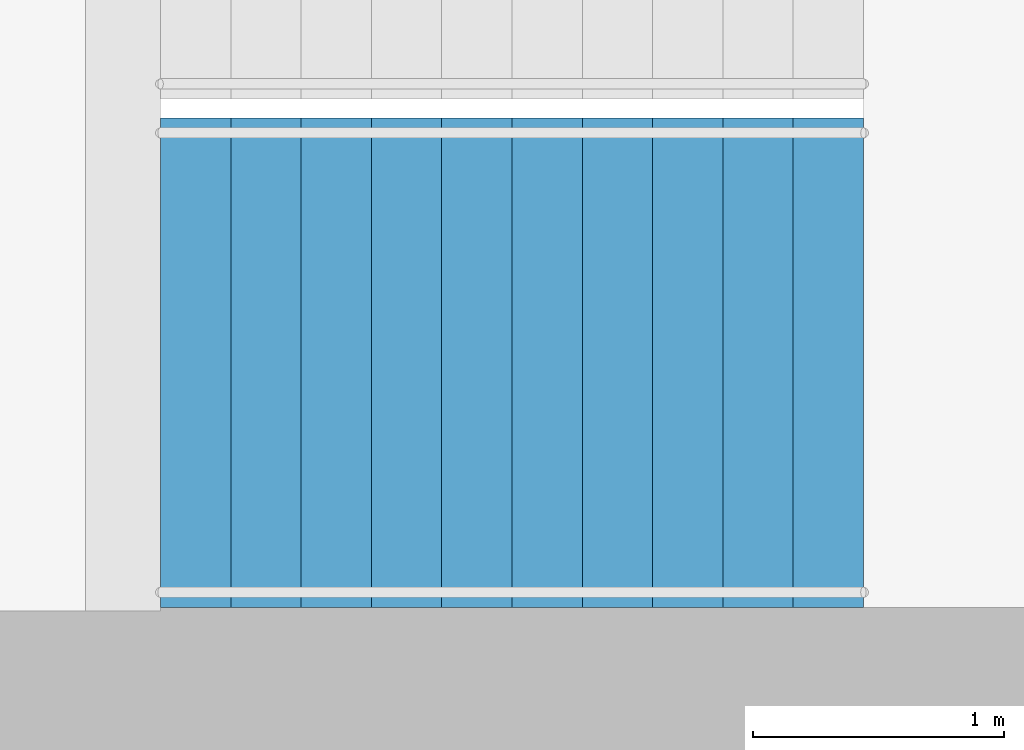
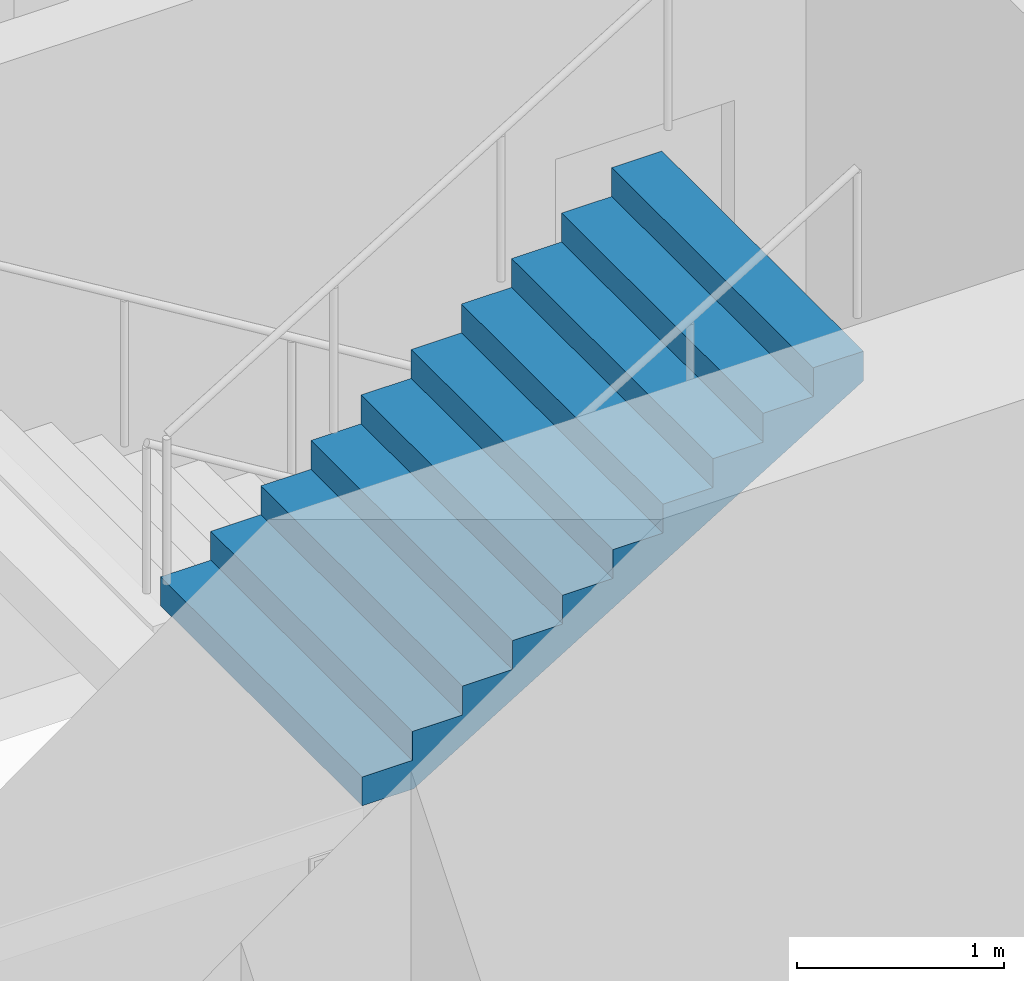
# One storey, part 19 of 21: 1 stair flight, 1 element without a shape of its own.
"""IFC4 building model written with IfcOpenShell, lengths in metres."""

from ifc_helpers import new_model, si_unit, direction, frame, origin, place, context, subcontext, project, spatial, triangles, material, type_object, element, aggregate, save


model = new_model("IFC4")

# Units and contexts
model_context = context("Model", 3, precision=1e-05, world=origin(), true_north=direction((0.0, 1.0)))
body_context = subcontext(model_context, "Body", "Model", "MODEL_VIEW")
ifc_project = project(units=[si_unit("LENGTHUNIT", "METRE"), si_unit("AREAUNIT", "SQUARE_METRE"), si_unit("VOLUMEUNIT", "CUBIC_METRE"), si_unit("PLANEANGLEUNIT", "RADIAN"), si_unit("MASSUNIT", "GRAM", prefix="KILO")], contexts=[model_context])

# Site, building, storey
site_placement = place(None, origin())
site = spatial("IfcSite", under=ifc_project, at=site_placement, CompositionType="ELEMENT")
building_placement = place(site_placement, origin())
building = spatial("IfcBuilding", under=site, at=building_placement, Name="Orbita Commons", CompositionType="ELEMENT")
storey_placement = place(building_placement, frame((0.0, 0.0, 106.89990234375)))
storey = spatial("IfcBuildingStorey", under=building, at=storey_placement, Name="L26", CompositionType="ELEMENT", Elevation=106.89990234375)

# Stair, stair flight
ifc_material_1 = material(Name="Precast concrete C40/50", Category="concrete")
stair_type = type_object("IfcStairType", Name="Exit stair S2 2 flights 11 risers 170", PredefinedType="HALF_TURN_STAIR", material=ifc_material_1)
stair_placement = place(storey_placement, origin())
stair = element("IfcStair", 1, at=stair_placement, inside=storey, type_object=stair_type, Name="Exit stair S2 L26", PredefinedType="HALF_TURN_STAIR")
ifc_material_2 = material(Name="Precast concrete C40/50", Category="concrete")
stair_flight_type = type_object("IfcStairFlightType", Name="Stair flight 11 risers 170 x 280", PredefinedType="STRAIGHT", material=ifc_material_2)
stair_flight_placement = place(storey_placement, frame((60.75, 27.25, 1.875), z_axis=(0.0, 0.0, 1.0), x_axis=(1.0, 0.0, 0.0)))
stair_flight = element("IfcStairFlight", 2, at=stair_flight_placement, type_object=stair_flight_type, Name="S2 flight 2", NumberOfRisers=11, NumberOfTreads=10, PredefinedType="STRAIGHT", RiserHeight=0.170454545, TreadLength=0.28, context=body_context, shape_type="Tessellation", body=[
    triangles([(0.0, 0.974976, 0.0), (0.0, 0.974976, 0.021307), (0.0, 0.81248, 0.021307), (0.0, 0.81248, 0.0), (0.0, 0.649984, 0.021307), (0.0, 0.649984, 0.0), (0.0, 0.487488, 0.021307), (0.0, 0.487488, 0.0), (0.0, 0.324992, 0.021307), (0.0, 0.324992, 0.0), (0.0, 0.162496, 0.021307), (0.0, 0.162496, 0.0), (0.0, 0.0, 0.021307), (0.0, 0.0, 0.0), (0.0, -0.162496, 0.021307), (0.0, -0.162496, 0.0), (0.0, -0.324992, 0.021307), (0.0, -0.324992, 0.0), (0.0, -0.487488, 0.021307), (0.0, -0.487488, 0.0), (0.0, -0.649984, 0.021307), (0.0, -0.649984, 0.0), (0.0, -0.81248, 0.021307), (0.0, -0.81248, 0.0), (0.0, -0.974976, 0.021307), (0.0, -0.974976, 0.0), (0.0, 0.974976, 0.042614), (0.0, 0.81248, 0.042614), (0.0, 0.649984, 0.042614), (0.0, 0.487488, 0.042614), (0.0, 0.324992, 0.042614), (0.0, 0.162496, 0.042614), (0.0, 0.0, 0.042614), (0.0, -0.162496, 0.042614), (0.0, -0.324992, 0.042614), (0.0, -0.487488, 0.042614), (0.0, -0.649984, 0.042614), (0.0, -0.81248, 0.042614), (0.0, -0.974976, 0.042614), (0.0, 0.974976, 0.06392), (0.0, 0.81248, 0.06392), (0.0, 0.649984, 0.06392), (0.0, 0.487488, 0.06392), (0.0, 0.324992, 0.06392), (0.0, 0.162496, 0.06392), (0.0, 0.0, 0.06392), (0.0, -0.162496, 0.06392), (0.0, -0.324992, 0.06392), (0.0, -0.487488, 0.06392), (0.0, -0.649984, 0.06392), (0.0, -0.81248, 0.06392), (0.0, -0.974976, 0.06392), (0.0, 0.974976, 0.085227), (0.0, 0.81248, 0.085227), (0.0, 0.649984, 0.085227), (0.0, 0.487488, 0.085227), (0.0, 0.324992, 0.085227), (0.0, 0.162496, 0.085227), (0.0, 0.0, 0.085227), (0.0, -0.162496, 0.085227), (0.0, -0.324992, 0.085227), (0.0, -0.487488, 0.085227), (0.0, -0.649984, 0.085227), (0.0, -0.81248, 0.085227), (0.0, -0.974976, 0.085227), (0.0, 0.974976, 0.106534), (0.0, 0.81248, 0.106534), (0.0, 0.649984, 0.106534), (0.0, 0.487488, 0.106534), (0.0, 0.324992, 0.106534), (0.0, 0.162496, 0.106534), (0.0, 0.0, 0.106534), (0.0, -0.162496, 0.106534), (0.0, -0.324992, 0.106534), (0.0, -0.487488, 0.106534), (0.0, -0.649984, 0.106534), (0.0, -0.81248, 0.106534), (0.0, -0.974976, 0.106534), (0.0, 0.974976, 0.127841), (0.0, 0.81248, 0.127841), (0.0, 0.649984, 0.127841), (0.0, 0.487488, 0.127841), (0.0, 0.324992, 0.127841), (0.0, 0.162496, 0.127841), (0.0, 0.0, 0.127841), (0.0, -0.162496, 0.127841), (0.0, -0.324992, 0.127841), (0.0, -0.487488, 0.127841), (0.0, -0.649984, 0.127841), (0.0, -0.81248, 0.127841), (0.0, -0.974976, 0.127841), (0.0, 0.974976, 0.149148), (0.0, 0.81248, 0.149148), (0.0, 0.649984, 0.149148), (0.0, 0.487488, 0.149148), (0.0, 0.324992, 0.149148), (0.0, 0.162496, 0.149148), (0.0, 0.0, 0.149148), (0.0, -0.162496, 0.149148), (0.0, -0.324992, 0.149148), (0.0, -0.487488, 0.149148), (0.0, -0.649984, 0.149148), (0.0, -0.81248, 0.149148), (0.0, -0.974976, 0.149148), (0.0, 0.974976, 0.170455), (0.0, 0.81248, 0.170455), (0.0, 0.649984, 0.170455), (0.0, 0.487488, 0.170455), (0.0, 0.324992, 0.170455), (0.0, 0.162496, 0.170455), (0.0, 0.0, 0.170455), (0.0, -0.162496, 0.170455), (0.0, -0.324992, 0.170455), (0.0, -0.487488, 0.170455), (0.0, -0.649984, 0.170455), (0.0, -0.81248, 0.170455), (0.0, -0.974976, 0.170455), (0.28, 0.974976, 0.170455), (0.28, 0.81248, 0.170455), (0.28, 0.649984, 0.170455), (0.28, 0.487488, 0.170455), (0.28, 0.324992, 0.170455), (0.28, 0.162496, 0.170455), (0.28, 0.0, 0.170455), (0.28, -0.162496, 0.170455), (0.28, -0.324992, 0.170455), (0.28, -0.487488, 0.170455), (0.28, -0.649984, 0.170455), (0.28, -0.81248, 0.170455), (0.28, -0.974976, 0.170455), (0.28, 0.974976, 0.340909), (0.28, 0.81248, 0.340909), (0.28, 0.649984, 0.340909), (0.28, 0.487488, 0.340909), (0.28, 0.324992, 0.340909), (0.28, 0.162496, 0.340909), (0.28, 0.0, 0.340909), (0.28, -0.162496, 0.340909), (0.28, -0.324992, 0.340909), (0.28, -0.487488, 0.340909), (0.28, -0.649984, 0.340909), (0.28, -0.81248, 0.340909), (0.28, -0.974976, 0.340909), (0.56, 0.974976, 0.340909), (0.56, 0.81248, 0.340909), (0.56, 0.649984, 0.340909), (0.56, 0.487488, 0.340909), (0.56, 0.324992, 0.340909), (0.56, 0.162496, 0.340909), (0.56, 0.0, 0.340909), (0.56, -0.162496, 0.340909), (0.56, -0.324992, 0.340909), (0.56, -0.487488, 0.340909), (0.56, -0.649984, 0.340909), (0.56, -0.81248, 0.340909), (0.56, -0.974976, 0.340909), (0.56, 0.974976, 0.511364), (0.56, 0.81248, 0.511364), (0.56, 0.649984, 0.511364), (0.56, 0.487488, 0.511364), (0.56, 0.324992, 0.511364), (0.56, 0.162496, 0.511364), (0.56, 0.0, 0.511364), (0.56, -0.162496, 0.511364), (0.56, -0.324992, 0.511364), (0.56, -0.487488, 0.511364), (0.56, -0.649984, 0.511364), (0.56, -0.81248, 0.511364), (0.56, -0.974976, 0.511364), (0.84, 0.974976, 0.511364), (0.84, 0.81248, 0.511364), (0.84, 0.649984, 0.511364), (0.84, 0.487488, 0.511364), (0.84, 0.324992, 0.511364), (0.84, 0.162496, 0.511364), (0.84, 0.0, 0.511364), (0.84, -0.162496, 0.511364), (0.84, -0.324992, 0.511364), (0.84, -0.487488, 0.511364), (0.84, -0.649984, 0.511364), (0.84, -0.81248, 0.511364), (0.84, -0.974976, 0.511364), (0.84, 0.974976, 0.681818), (0.84, 0.81248, 0.681818), (0.84, 0.649984, 0.681818), (0.84, 0.487488, 0.681818), (0.84, 0.324992, 0.681818), (0.84, 0.162496, 0.681818), (0.84, 0.0, 0.681818), (0.84, -0.162496, 0.681818), (0.84, -0.324992, 0.681818), (0.84, -0.487488, 0.681818), (0.84, -0.649984, 0.681818), (0.84, -0.81248, 0.681818), (0.84, -0.974976, 0.681818), (1.12, 0.974976, 0.681818), (1.12, 0.81248, 0.681818), (1.12, 0.649984, 0.681818), (1.12, 0.487488, 0.681818), (1.12, 0.324992, 0.681818), (1.12, 0.162496, 0.681818), (1.12, 0.0, 0.681818), (1.12, -0.162496, 0.681818), (1.12, -0.324992, 0.681818), (1.12, -0.487488, 0.681818), (1.12, -0.649984, 0.681818), (1.12, -0.81248, 0.681818), (1.12, -0.974976, 0.681818), (1.12, 0.974976, 0.852273), (1.12, 0.81248, 0.852273), (1.12, 0.649984, 0.852273), (1.12, 0.487488, 0.852273), (1.12, 0.324992, 0.852273), (1.12, 0.162496, 0.852273), (1.12, 0.0, 0.852273), (1.12, -0.162496, 0.852273), (1.12, -0.324992, 0.852273), (1.12, -0.487488, 0.852273), (1.12, -0.649984, 0.852273), (1.12, -0.81248, 0.852273), (1.12, -0.974976, 0.852273), (1.4, 0.974976, 0.852273), (1.4, 0.81248, 0.852273), (1.4, 0.649984, 0.852273), (1.4, 0.487488, 0.852273), (1.4, 0.324992, 0.852273), (1.4, 0.162496, 0.852273), (1.4, 0.0, 0.852273), (1.4, -0.162496, 0.852273), (1.4, -0.324992, 0.852273), (1.4, -0.487488, 0.852273), (1.4, -0.649984, 0.852273), (1.4, -0.81248, 0.852273), (1.4, -0.974976, 0.852273), (1.4, 0.974976, 1.022727), (1.4, 0.81248, 1.022727), (1.4, 0.649984, 1.022727), (1.4, 0.487488, 1.022727), (1.4, 0.324992, 1.022727), (1.4, 0.162496, 1.022727), (1.4, 0.0, 1.022727), (1.4, -0.162496, 1.022727), (1.4, -0.324992, 1.022727), (1.4, -0.487488, 1.022727), (1.4, -0.649984, 1.022727), (1.4, -0.81248, 1.022727), (1.4, -0.974976, 1.022727), (1.68, 0.974976, 1.022727), (1.68, 0.81248, 1.022727), (1.68, 0.649984, 1.022727), (1.68, 0.487488, 1.022727), (1.68, 0.324992, 1.022727), (1.68, 0.162496, 1.022727), (1.68, 0.0, 1.022727), (1.68, -0.162496, 1.022727), (1.68, -0.324992, 1.022727), (1.68, -0.487488, 1.022727), (1.68, -0.649984, 1.022727), (1.68, -0.81248, 1.022727), (1.68, -0.974976, 1.022727), (1.68, 0.974976, 1.193182), (1.68, 0.81248, 1.193182), (1.68, 0.649984, 1.193182), (1.68, 0.487488, 1.193182), (1.68, 0.324992, 1.193182), (1.68, 0.162496, 1.193182), (1.68, 0.0, 1.193182), (1.68, -0.162496, 1.193182), (1.68, -0.324992, 1.193182), (1.68, -0.487488, 1.193182), (1.68, -0.649984, 1.193182), (1.68, -0.81248, 1.193182), (1.68, -0.974976, 1.193182), (1.96, 0.974976, 1.193182), (1.96, 0.81248, 1.193182), (1.96, 0.649984, 1.193182), (1.96, 0.487488, 1.193182), (1.96, 0.324992, 1.193182), (1.96, 0.162496, 1.193182), (1.96, 0.0, 1.193182), (1.96, -0.162496, 1.193182), (1.96, -0.324992, 1.193182), (1.96, -0.487488, 1.193182), (1.96, -0.649984, 1.193182), (1.96, -0.81248, 1.193182), (1.96, -0.974976, 1.193182), (1.96, 0.974976, 1.363636), (1.96, 0.81248, 1.363636), (1.96, 0.649984, 1.363636), (1.96, 0.487488, 1.363636), (1.96, 0.324992, 1.363636), (1.96, 0.162496, 1.363636), (1.96, 0.0, 1.363636), (1.96, -0.162496, 1.363636), (1.96, -0.324992, 1.363636), (1.96, -0.487488, 1.363636), (1.96, -0.649984, 1.363636), (1.96, -0.81248, 1.363636), (1.96, -0.974976, 1.363636), (2.24, 0.974976, 1.363636), (2.24, 0.81248, 1.363636), (2.24, 0.649984, 1.363636), (2.24, 0.487488, 1.363636), (2.24, 0.324992, 1.363636), (2.24, 0.162496, 1.363636), (2.24, 0.0, 1.363636), (2.24, -0.162496, 1.363636), (2.24, -0.324992, 1.363636), (2.24, -0.487488, 1.363636), (2.24, -0.649984, 1.363636), (2.24, -0.81248, 1.363636), (2.24, -0.974976, 1.363636), (2.24, 0.974976, 1.534091), (2.24, 0.81248, 1.534091), (2.24, 0.649984, 1.534091), (2.24, 0.487488, 1.534091), (2.24, 0.324992, 1.534091), (2.24, 0.162496, 1.534091), (2.24, 0.0, 1.534091), (2.24, -0.162496, 1.534091), (2.24, -0.324992, 1.534091), (2.24, -0.487488, 1.534091), (2.24, -0.649984, 1.534091), (2.24, -0.81248, 1.534091), (2.24, -0.974976, 1.534091), (2.52, 0.974976, 1.534091), (2.52, 0.81248, 1.534091), (2.52, 0.649984, 1.534091), (2.52, 0.487488, 1.534091), (2.52, 0.324992, 1.534091), (2.52, 0.162496, 1.534091), (2.52, 0.0, 1.534091), (2.52, -0.162496, 1.534091), (2.52, -0.324992, 1.534091), (2.52, -0.487488, 1.534091), (2.52, -0.649984, 1.534091), (2.52, -0.81248, 1.534091), (2.52, -0.974976, 1.534091), (2.52, 0.974976, 1.704545), (2.52, 0.81248, 1.704545), (2.52, 0.649984, 1.704545), (2.52, 0.487488, 1.704545), (2.52, 0.324992, 1.704545), (2.52, 0.162496, 1.704545), (2.52, 0.0, 1.704545), (2.52, -0.162496, 1.704545), (2.52, -0.324992, 1.704545), (2.52, -0.487488, 1.704545), (2.52, -0.649984, 1.704545), (2.52, -0.81248, 1.704545), (2.52, -0.974976, 1.704545), (2.8, 0.974976, 1.704545), (2.8, 0.81248, 1.704545), (2.8, 0.649984, 1.704545), (2.8, 0.487488, 1.704545), (2.8, 0.324992, 1.704545), (2.8, 0.162496, 1.704545), (2.8, 0.0, 1.704545), (2.8, -0.162496, 1.704545), (2.8, -0.324992, 1.704545), (2.8, -0.487488, 1.704545), (2.8, -0.649984, 1.704545), (2.8, -0.81248, 1.704545), (2.8, -0.974976, 1.704545), (2.8, 0.974976, 1.682609), (2.8, 0.81248, 1.682609), (2.8, 0.649984, 1.682609), (2.8, 0.487488, 1.682609), (2.8, 0.324992, 1.682609), (2.8, 0.162496, 1.682609), (2.8, 0.0, 1.682609), (2.8, -0.162496, 1.682609), (2.8, -0.324992, 1.682609), (2.8, -0.487488, 1.682609), (2.8, -0.649984, 1.682609), (2.8, -0.81248, 1.682609), (2.8, -0.974976, 1.682609), (2.8, 0.974976, 1.660672), (2.8, 0.81248, 1.660672), (2.8, 0.649984, 1.660672), (2.8, 0.487488, 1.660672), (2.8, 0.324992, 1.660672), (2.8, 0.162496, 1.660672), (2.8, 0.0, 1.660672), (2.8, -0.162496, 1.660672), (2.8, -0.324992, 1.660672), (2.8, -0.487488, 1.660672), (2.8, -0.649984, 1.660672), (2.8, -0.81248, 1.660672), (2.8, -0.974976, 1.660672), (2.8, 0.974976, 1.638735), (2.8, 0.81248, 1.638735), (2.8, 0.649984, 1.638735), (2.8, 0.487488, 1.638735), (2.8, 0.324992, 1.638735), (2.8, 0.162496, 1.638735), (2.8, 0.0, 1.638735), (2.8, -0.162496, 1.638735), (2.8, -0.324992, 1.638735), (2.8, -0.487488, 1.638735), (2.8, -0.649984, 1.638735), (2.8, -0.81248, 1.638735), (2.8, -0.974976, 1.638735), (2.8, 0.974976, 1.616798), (2.8, 0.81248, 1.616798), (2.8, 0.649984, 1.616798), (2.8, 0.487488, 1.616798), (2.8, 0.324992, 1.616798), (2.8, 0.162496, 1.616798), (2.8, 0.0, 1.616798), (2.8, -0.162496, 1.616798), (2.8, -0.324992, 1.616798), (2.8, -0.487488, 1.616798), (2.8, -0.649984, 1.616798), (2.8, -0.81248, 1.616798), (2.8, -0.974976, 1.616798), (2.8, 0.974976, 1.594861), (2.8, 0.81248, 1.594861), (2.8, 0.649984, 1.594861), (2.8, 0.487488, 1.594861), (2.8, 0.324992, 1.594861), (2.8, 0.162496, 1.594861), (2.8, 0.0, 1.594861), (2.8, -0.162496, 1.594861), (2.8, -0.324992, 1.594861), (2.8, -0.487488, 1.594861), (2.8, -0.649984, 1.594861), (2.8, -0.81248, 1.594861), (2.8, -0.974976, 1.594861), (2.8, 0.974976, 1.572925), (2.8, 0.81248, 1.572925), (2.8, 0.649984, 1.572925), (2.8, 0.487488, 1.572925), (2.8, 0.324992, 1.572925), (2.8, 0.162496, 1.572925), (2.8, 0.0, 1.572925), (2.8, -0.162496, 1.572925), (2.8, -0.324992, 1.572925), (2.8, -0.487488, 1.572925), (2.8, -0.649984, 1.572925), (2.8, -0.81248, 1.572925), (2.8, -0.974976, 1.572925), (2.8, 0.974976, 1.550988), (2.8, 0.81248, 1.550988), (2.8, 0.649984, 1.550988), (2.8, 0.487488, 1.550988), (2.8, 0.324992, 1.550988), (2.8, 0.162496, 1.550988), (2.8, 0.0, 1.550988), (2.8, -0.162496, 1.550988), (2.8, -0.324992, 1.550988), (2.8, -0.487488, 1.550988), (2.8, -0.649984, 1.550988), (2.8, -0.81248, 1.550988), (2.8, -0.974976, 1.550988), (2.8, 0.974976, 1.529051), (2.8, 0.81248, 1.529051), (2.8, 0.649984, 1.529051), (2.8, 0.487488, 1.529051), (2.8, 0.324992, 1.529051), (2.8, 0.162496, 1.529051), (2.8, 0.0, 1.529051), (2.8, -0.162496, 1.529051), (2.8, -0.324992, 1.529051), (2.8, -0.487488, 1.529051), (2.8, -0.649984, 1.529051), (2.8, -0.81248, 1.529051), (2.8, -0.974976, 1.529051), (0.288279, 0.974976, 0.0), (0.288279, 0.81248, 0.0), (0.288279, 0.649984, 0.0), (0.288279, 0.487488, 0.0), (0.288279, 0.324992, 0.0), (0.288279, 0.162496, 0.0), (0.288279, 0.0, 0.0), (0.288279, -0.162496, 0.0), (0.288279, -0.324992, 0.0), (0.288279, -0.487488, 0.0), (0.288279, -0.649984, 0.0), (0.288279, -0.81248, 0.0), (0.288279, -0.974976, 0.0)], [[3, 2, 1], [4, 3, 1], [5, 3, 4], [6, 5, 4], [7, 5, 6], [8, 7, 6], [9, 7, 8], [10, 9, 8], [11, 9, 10], [12, 11, 10], [13, 11, 12], [14, 13, 12], [15, 13, 14], [16, 15, 14], [17, 15, 16], [18, 17, 16], [19, 17, 18], [20, 19, 18], [21, 19, 20], [22, 21, 20], [23, 21, 22], [24, 23, 22], [25, 23, 24], [26, 25, 24], [28, 27, 2], [3, 28, 2], [29, 28, 3], [5, 29, 3], [30, 29, 5], [7, 30, 5], [31, 30, 7], [9, 31, 7], [32, 31, 9], [11, 32, 9], [33, 32, 11], [13, 33, 11], [34, 33, 13], [15, 34, 13], [35, 34, 15], [17, 35, 15], [36, 35, 17], [19, 36, 17], [37, 36, 19], [21, 37, 19], [38, 37, 21], [23, 38, 21], [39, 38, 23], [25, 39, 23], [41, 40, 27], [28, 41, 27], [42, 41, 28], [29, 42, 28], [43, 42, 29], [30, 43, 29], [44, 43, 30], [31, 44, 30], [45, 44, 31], [32, 45, 31], [46, 45, 32], [33, 46, 32], [47, 46, 33], [34, 47, 33], [48, 47, 34], [35, 48, 34], [49, 48, 35], [36, 49, 35], [50, 49, 36], [37, 50, 36], [51, 50, 37], [38, 51, 37], [52, 51, 38], [39, 52, 38], [54, 53, 40], [41, 54, 40], [55, 54, 41], [42, 55, 41], [56, 55, 42], [43, 56, 42], [57, 56, 43], [44, 57, 43], [58, 57, 44], [45, 58, 44], [59, 58, 45], [46, 59, 45], [60, 59, 46], [47, 60, 46], [61, 60, 47], [48, 61, 47], [62, 61, 48], [49, 62, 48], [63, 62, 49], [50, 63, 49], [64, 63, 50], [51, 64, 50], [65, 64, 51], [52, 65, 51], [67, 66, 53], [54, 67, 53], [68, 67, 54], [55, 68, 54], [69, 68, 55], [56, 69, 55], [70, 69, 56], [57, 70, 56], [71, 70, 57], [58, 71, 57], [72, 71, 58], [59, 72, 58], [73, 72, 59], [60, 73, 59], [74, 73, 60], [61, 74, 60], [75, 74, 61], [62, 75, 61], [76, 75, 62], [63, 76, 62], [77, 76, 63], [64, 77, 63], [78, 77, 64], [65, 78, 64], [80, 79, 66], [67, 80, 66], [81, 80, 67], [68, 81, 67], [82, 81, 68], [69, 82, 68], [83, 82, 69], [70, 83, 69], [84, 83, 70], [71, 84, 70], [85, 84, 71], [72, 85, 71], [86, 85, 72], [73, 86, 72], [87, 86, 73], [74, 87, 73], [88, 87, 74], [75, 88, 74], [89, 88, 75], [76, 89, 75], [90, 89, 76], [77, 90, 76], [91, 90, 77], [78, 91, 77], [93, 92, 79], [80, 93, 79], [94, 93, 80], [81, 94, 80], [95, 94, 81], [82, 95, 81], [96, 95, 82], [83, 96, 82], [97, 96, 83], [84, 97, 83], [98, 97, 84], [85, 98, 84], [99, 98, 85], [86, 99, 85], [100, 99, 86], [87, 100, 86], [101, 100, 87], [88, 101, 87], [102, 101, 88], [89, 102, 88], [103, 102, 89], [90, 103, 89], [104, 103, 90], [91, 104, 90], [106, 105, 92], [93, 106, 92], [107, 106, 93], [94, 107, 93], [108, 107, 94], [95, 108, 94], [109, 108, 95], [96, 109, 95], [110, 109, 96], [97, 110, 96], [111, 110, 97], [98, 111, 97], [112, 111, 98], [99, 112, 98], [113, 112, 99], [100, 113, 99], [114, 113, 100], [101, 114, 100], [115, 114, 101], [102, 115, 101], [116, 115, 102], [103, 116, 102], [117, 116, 103], [104, 117, 103], [119, 118, 105], [106, 119, 105], [120, 119, 106], [107, 120, 106], [121, 120, 107], [108, 121, 107], [122, 121, 108], [109, 122, 108], [123, 122, 109], [110, 123, 109], [124, 123, 110], [111, 124, 110], [125, 124, 111], [112, 125, 111], [126, 125, 112], [113, 126, 112], [127, 126, 113], [114, 127, 113], [128, 127, 114], [115, 128, 114], [129, 128, 115], [116, 129, 115], [130, 129, 116], [117, 130, 116], [132, 131, 118], [119, 132, 118], [133, 132, 119], [120, 133, 119], [134, 133, 120], [121, 134, 120], [135, 134, 121], [122, 135, 121], [136, 135, 122], [123, 136, 122], [137, 136, 123], [124, 137, 123], [138, 137, 124], [125, 138, 124], [139, 138, 125], [126, 139, 125], [140, 139, 126], [127, 140, 126], [141, 140, 127], [128, 141, 127], [142, 141, 128], [129, 142, 128], [143, 142, 129], [130, 143, 129], [145, 144, 131], [132, 145, 131], [146, 145, 132], [133, 146, 132], [147, 146, 133], [134, 147, 133], [148, 147, 134], [135, 148, 134], [149, 148, 135], [136, 149, 135], [150, 149, 136], [137, 150, 136], [151, 150, 137], [138, 151, 137], [152, 151, 138], [139, 152, 138], [153, 152, 139], [140, 153, 139], [154, 153, 140], [141, 154, 140], [155, 154, 141], [142, 155, 141], [156, 155, 142], [143, 156, 142], [158, 157, 144], [145, 158, 144], [159, 158, 145], [146, 159, 145], [160, 159, 146], [147, 160, 146], [161, 160, 147], [148, 161, 147], [162, 161, 148], [149, 162, 148], [163, 162, 149], [150, 163, 149], [164, 163, 150], [151, 164, 150], [165, 164, 151], [152, 165, 151], [166, 165, 152], [153, 166, 152], [167, 166, 153], [154, 167, 153], [168, 167, 154], [155, 168, 154], [169, 168, 155], [156, 169, 155], [171, 170, 157], [158, 171, 157], [172, 171, 158], [159, 172, 158], [173, 172, 159], [160, 173, 159], [174, 173, 160], [161, 174, 160], [175, 174, 161], [162, 175, 161], [176, 175, 162], [163, 176, 162], [177, 176, 163], [164, 177, 163], [178, 177, 164], [165, 178, 164], [179, 178, 165], [166, 179, 165], [180, 179, 166], [167, 180, 166], [181, 180, 167], [168, 181, 167], [182, 181, 168], [169, 182, 168], [184, 183, 170], [171, 184, 170], [185, 184, 171], [172, 185, 171], [186, 185, 172], [173, 186, 172], [187, 186, 173], [174, 187, 173], [188, 187, 174], [175, 188, 174], [189, 188, 175], [176, 189, 175], [190, 189, 176], [177, 190, 176], [191, 190, 177], [178, 191, 177], [192, 191, 178], [179, 192, 178], [193, 192, 179], [180, 193, 179], [194, 193, 180], [181, 194, 180], [195, 194, 181], [182, 195, 181], [197, 196, 183], [184, 197, 183], [198, 197, 184], [185, 198, 184], [199, 198, 185], [186, 199, 185], [200, 199, 186], [187, 200, 186], [201, 200, 187], [188, 201, 187], [202, 201, 188], [189, 202, 188], [203, 202, 189], [190, 203, 189], [204, 203, 190], [191, 204, 190], [205, 204, 191], [192, 205, 191], [206, 205, 192], [193, 206, 192], [207, 206, 193], [194, 207, 193], [208, 207, 194], [195, 208, 194], [210, 209, 196], [197, 210, 196], [211, 210, 197], [198, 211, 197], [212, 211, 198], [199, 212, 198], [213, 212, 199], [200, 213, 199], [214, 213, 200], [201, 214, 200], [215, 214, 201], [202, 215, 201], [216, 215, 202], [203, 216, 202], [217, 216, 203], [204, 217, 203], [218, 217, 204], [205, 218, 204], [219, 218, 205], [206, 219, 205], [220, 219, 206], [207, 220, 206], [221, 220, 207], [208, 221, 207], [223, 222, 209], [210, 223, 209], [224, 223, 210], [211, 224, 210], [225, 224, 211], [212, 225, 211], [226, 225, 212], [213, 226, 212], [227, 226, 213], [214, 227, 213], [228, 227, 214], [215, 228, 214], [229, 228, 215], [216, 229, 215], [230, 229, 216], [217, 230, 216], [231, 230, 217], [218, 231, 217], [232, 231, 218], [219, 232, 218], [233, 232, 219], [220, 233, 219], [234, 233, 220], [221, 234, 220], [236, 235, 222], [223, 236, 222], [237, 236, 223], [224, 237, 223], [238, 237, 224], [225, 238, 224], [239, 238, 225], [226, 239, 225], [240, 239, 226], [227, 240, 226], [241, 240, 227], [228, 241, 227], [242, 241, 228], [229, 242, 228], [243, 242, 229], [230, 243, 229], [244, 243, 230], [231, 244, 230], [245, 244, 231], [232, 245, 231], [246, 245, 232], [233, 246, 232], [247, 246, 233], [234, 247, 233], [249, 248, 235], [236, 249, 235], [250, 249, 236], [237, 250, 236], [251, 250, 237], [238, 251, 237], [252, 251, 238], [239, 252, 238], [253, 252, 239], [240, 253, 239], [254, 253, 240], [241, 254, 240], [255, 254, 241], [242, 255, 241], [256, 255, 242], [243, 256, 242], [257, 256, 243], [244, 257, 243], [258, 257, 244], [245, 258, 244], [259, 258, 245], [246, 259, 245], [260, 259, 246], [247, 260, 246], [262, 261, 248], [249, 262, 248], [263, 262, 249], [250, 263, 249], [264, 263, 250], [251, 264, 250], [265, 264, 251], [252, 265, 251], [266, 265, 252], [253, 266, 252], [267, 266, 253], [254, 267, 253], [268, 267, 254], [255, 268, 254], [269, 268, 255], [256, 269, 255], [270, 269, 256], [257, 270, 256], [271, 270, 257], [258, 271, 257], [272, 271, 258], [259, 272, 258], [273, 272, 259], [260, 273, 259], [275, 274, 261], [262, 275, 261], [276, 275, 262], [263, 276, 262], [277, 276, 263], [264, 277, 263], [278, 277, 264], [265, 278, 264], [279, 278, 265], [266, 279, 265], [280, 279, 266], [267, 280, 266], [281, 280, 267], [268, 281, 267], [282, 281, 268], [269, 282, 268], [283, 282, 269], [270, 283, 269], [284, 283, 270], [271, 284, 270], [285, 284, 271], [272, 285, 271], [286, 285, 272], [273, 286, 272], [288, 287, 274], [275, 288, 274], [289, 288, 275], [276, 289, 275], [290, 289, 276], [277, 290, 276], [291, 290, 277], [278, 291, 277], [292, 291, 278], [279, 292, 278], [293, 292, 279], [280, 293, 279], [294, 293, 280], [281, 294, 280], [295, 294, 281], [282, 295, 281], [296, 295, 282], [283, 296, 282], [297, 296, 283], [284, 297, 283], [298, 297, 284], [285, 298, 284], [299, 298, 285], [286, 299, 285], [301, 300, 287], [288, 301, 287], [302, 301, 288], [289, 302, 288], [303, 302, 289], [290, 303, 289], [304, 303, 290], [291, 304, 290], [305, 304, 291], [292, 305, 291], [306, 305, 292], [293, 306, 292], [307, 306, 293], [294, 307, 293], [308, 307, 294], [295, 308, 294], [309, 308, 295], [296, 309, 295], [310, 309, 296], [297, 310, 296], [311, 310, 297], [298, 311, 297], [312, 311, 298], [299, 312, 298], [314, 313, 300], [301, 314, 300], [315, 314, 301], [302, 315, 301], [316, 315, 302], [303, 316, 302], [317, 316, 303], [304, 317, 303], [318, 317, 304], [305, 318, 304], [319, 318, 305], [306, 319, 305], [320, 319, 306], [307, 320, 306], [321, 320, 307], [308, 321, 307], [322, 321, 308], [309, 322, 308], [323, 322, 309], [310, 323, 309], [324, 323, 310], [311, 324, 310], [325, 324, 311], [312, 325, 311], [327, 326, 313], [314, 327, 313], [328, 327, 314], [315, 328, 314], [329, 328, 315], [316, 329, 315], [330, 329, 316], [317, 330, 316], [331, 330, 317], [318, 331, 317], [332, 331, 318], [319, 332, 318], [333, 332, 319], [320, 333, 319], [334, 333, 320], [321, 334, 320], [335, 334, 321], [322, 335, 321], [336, 335, 322], [323, 336, 322], [337, 336, 323], [324, 337, 323], [338, 337, 324], [325, 338, 324], [340, 339, 326], [327, 340, 326], [341, 340, 327], [328, 341, 327], [342, 341, 328], [329, 342, 328], [343, 342, 329], [330, 343, 329], [344, 343, 330], [331, 344, 330], [345, 344, 331], [332, 345, 331], [346, 345, 332], [333, 346, 332], [347, 346, 333], [334, 347, 333], [348, 347, 334], [335, 348, 334], [349, 348, 335], [336, 349, 335], [350, 349, 336], [337, 350, 336], [351, 350, 337], [338, 351, 337], [353, 352, 339], [340, 353, 339], [354, 353, 340], [341, 354, 340], [355, 354, 341], [342, 355, 341], [356, 355, 342], [343, 356, 342], [357, 356, 343], [344, 357, 343], [358, 357, 344], [345, 358, 344], [359, 358, 345], [346, 359, 345], [360, 359, 346], [347, 360, 346], [361, 360, 347], [348, 361, 347], [362, 361, 348], [349, 362, 348], [363, 362, 349], [350, 363, 349], [364, 363, 350], [351, 364, 350], [366, 365, 352], [353, 366, 352], [367, 366, 353], [354, 367, 353], [368, 367, 354], [355, 368, 354], [369, 368, 355], [356, 369, 355], [370, 369, 356], [357, 370, 356], [371, 370, 357], [358, 371, 357], [372, 371, 358], [359, 372, 358], [373, 372, 359], [360, 373, 359], [374, 373, 360], [361, 374, 360], [375, 374, 361], [362, 375, 361], [376, 375, 362], [363, 376, 362], [377, 376, 363], [364, 377, 363], [379, 378, 365], [366, 379, 365], [380, 379, 366], [367, 380, 366], [381, 380, 367], [368, 381, 367], [382, 381, 368], [369, 382, 368], [383, 382, 369], [370, 383, 369], [384, 383, 370], [371, 384, 370], [385, 384, 371], [372, 385, 371], [386, 385, 372], [373, 386, 372], [387, 386, 373], [374, 387, 373], [388, 387, 374], [375, 388, 374], [389, 388, 375], [376, 389, 375], [390, 389, 376], [377, 390, 376], [392, 391, 378], [379, 392, 378], [393, 392, 379], [380, 393, 379], [394, 393, 380], [381, 394, 380], [395, 394, 381], [382, 395, 381], [396, 395, 382], [383, 396, 382], [397, 396, 383], [384, 397, 383], [398, 397, 384], [385, 398, 384], [399, 398, 385], [386, 399, 385], [400, 399, 386], [387, 400, 386], [401, 400, 387], [388, 401, 387], [402, 401, 388], [389, 402, 388], [403, 402, 389], [390, 403, 389], [405, 404, 391], [392, 405, 391], [406, 405, 392], [393, 406, 392], [407, 406, 393], [394, 407, 393], [408, 407, 394], [395, 408, 394], [409, 408, 395], [396, 409, 395], [410, 409, 396], [397, 410, 396], [411, 410, 397], [398, 411, 397], [412, 411, 398], [399, 412, 398], [413, 412, 399], [400, 413, 399], [414, 413, 400], [401, 414, 400], [415, 414, 401], [402, 415, 401], [416, 415, 402], [403, 416, 402], [418, 417, 404], [405, 418, 404], [419, 418, 405], [406, 419, 405], [420, 419, 406], [407, 420, 406], [421, 420, 407], [408, 421, 407], [422, 421, 408], [409, 422, 408], [423, 422, 409], [410, 423, 409], [424, 423, 410], [411, 424, 410], [425, 424, 411], [412, 425, 411], [426, 425, 412], [413, 426, 412], [427, 426, 413], [414, 427, 413], [428, 427, 414], [415, 428, 414], [429, 428, 415], [416, 429, 415], [431, 430, 417], [418, 431, 417], [432, 431, 418], [419, 432, 418], [433, 432, 419], [420, 433, 419], [434, 433, 420], [421, 434, 420], [435, 434, 421], [422, 435, 421], [436, 435, 422], [423, 436, 422], [437, 436, 423], [424, 437, 423], [438, 437, 424], [425, 438, 424], [439, 438, 425], [426, 439, 425], [440, 439, 426], [427, 440, 426], [441, 440, 427], [428, 441, 427], [442, 441, 428], [429, 442, 428], [444, 443, 430], [431, 444, 430], [445, 444, 431], [432, 445, 431], [446, 445, 432], [433, 446, 432], [447, 446, 433], [434, 447, 433], [448, 447, 434], [435, 448, 434], [449, 448, 435], [436, 449, 435], [450, 449, 436], [437, 450, 436], [451, 450, 437], [438, 451, 437], [452, 451, 438], [439, 452, 438], [453, 452, 439], [440, 453, 439], [454, 453, 440], [441, 454, 440], [455, 454, 441], [442, 455, 441], [457, 456, 443], [444, 457, 443], [458, 457, 444], [445, 458, 444], [459, 458, 445], [446, 459, 445], [460, 459, 446], [447, 460, 446], [461, 460, 447], [448, 461, 447], [462, 461, 448], [449, 462, 448], [463, 462, 449], [450, 463, 449], [464, 463, 450], [451, 464, 450], [465, 464, 451], [452, 465, 451], [466, 465, 452], [453, 466, 452], [467, 466, 453], [454, 467, 453], [468, 467, 454], [455, 468, 454], [470, 469, 456], [457, 470, 456], [471, 470, 457], [458, 471, 457], [472, 471, 458], [459, 472, 458], [473, 472, 459], [460, 473, 459], [474, 473, 460], [461, 474, 460], [475, 474, 461], [462, 475, 461], [476, 475, 462], [463, 476, 462], [477, 476, 463], [464, 477, 463], [478, 477, 464], [465, 478, 464], [479, 478, 465], [466, 479, 465], [480, 479, 466], [467, 480, 466], [481, 480, 467], [468, 481, 467], [4, 1, 469], [470, 4, 469], [6, 4, 470], [471, 6, 470], [8, 6, 471], [472, 8, 471], [10, 8, 472], [473, 10, 472], [12, 10, 473], [474, 12, 473], [14, 12, 474], [475, 14, 474], [16, 14, 475], [476, 16, 475], [18, 16, 476], [477, 18, 476], [20, 18, 477], [478, 20, 477], [22, 20, 478], [479, 22, 478], [24, 22, 479], [480, 24, 479], [26, 24, 480], [481, 26, 480], [456, 469, 1], [26, 481, 468], [443, 456, 1], [26, 468, 455], [430, 443, 1], [26, 455, 442], [417, 430, 1], [26, 442, 429], [404, 417, 1], [26, 429, 416], [391, 404, 1], [26, 416, 403], [378, 391, 1], [26, 403, 390], [365, 378, 1], [26, 390, 377], [339, 352, 365], [377, 364, 351], [326, 339, 365], [377, 351, 338], [300, 313, 326], [338, 325, 312], [300, 326, 365], [377, 338, 312], [274, 287, 300], [312, 299, 286], [274, 300, 365], [377, 312, 286], [248, 261, 274], [286, 273, 260], [248, 274, 365], [377, 286, 260], [222, 235, 248], [260, 247, 234], [222, 248, 365], [377, 260, 234], [196, 209, 222], [234, 221, 208], [196, 222, 365], [377, 234, 208], [170, 183, 196], [208, 195, 182], [170, 196, 365], [377, 208, 182], [144, 157, 170], [182, 169, 156], [144, 170, 365], [377, 182, 156], [118, 131, 144], [156, 143, 130], [118, 144, 365], [377, 156, 130], [118, 365, 1], [26, 377, 130], [92, 105, 118], [130, 117, 104], [79, 92, 118], [130, 104, 91], [66, 79, 118], [130, 91, 78], [53, 66, 118], [130, 78, 65], [40, 53, 118], [130, 65, 52], [27, 40, 118], [130, 52, 39], [2, 27, 118], [130, 39, 25], [1, 2, 118], [130, 25, 26]], closed=True),
])
aggregate(stair, [stair_flight])

save(model, "model.ifc")
